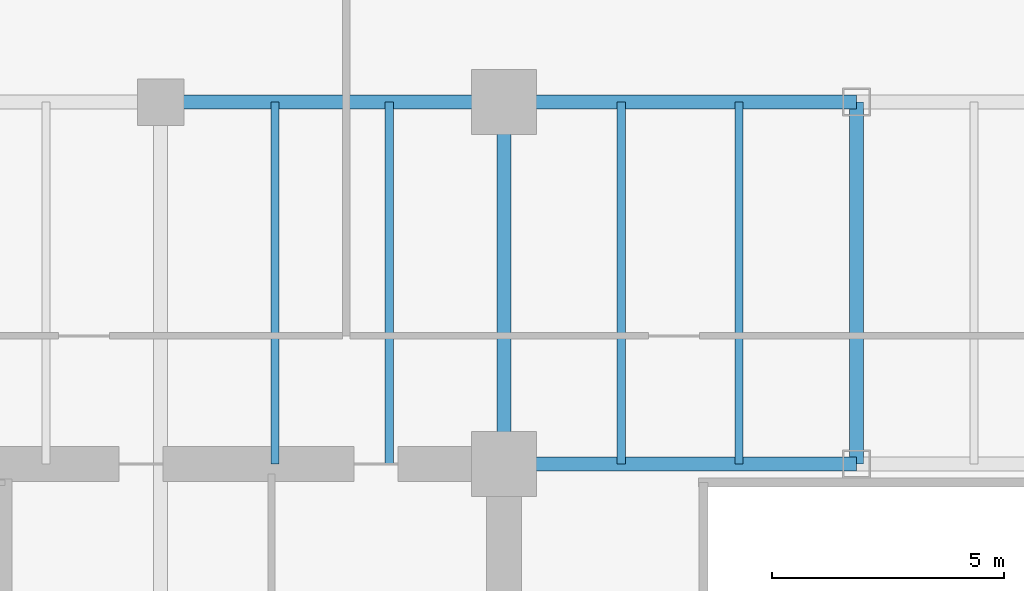
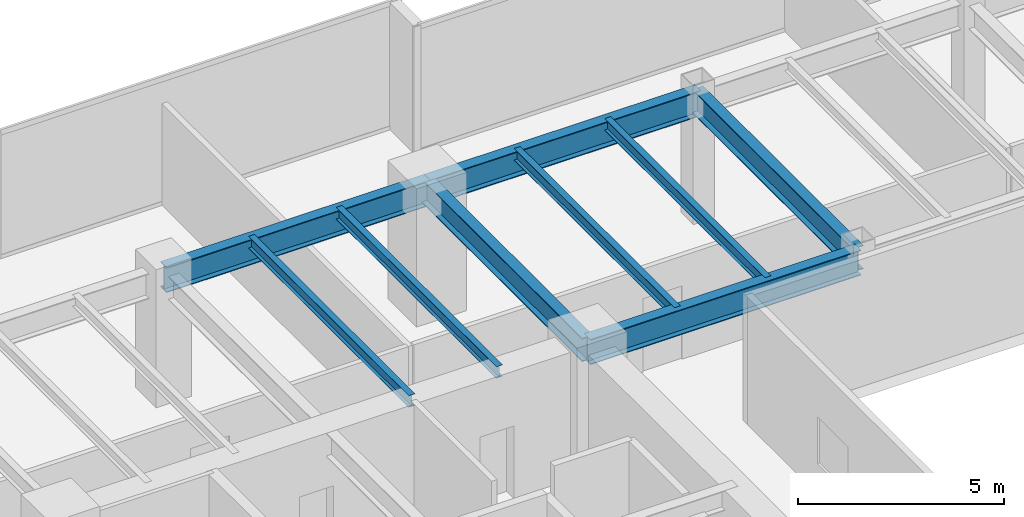
# One storey, part 13 of 35: 9 beams.
"""IFC4 building model written with IfcOpenShell, lengths in metres."""

from ifc_helpers import new_model, si_unit, direction, frame, origin, origin_2d, place, context, subcontext, project, spatial, i_section, extrude, source, transform, mapped, material, material_profile, profile_set, type_object, type_shapes, element, save


model = new_model("IFC4")

# Units and contexts
model_context = context("Model", 3, precision=1e-05, world=origin(), true_north=direction((0.0, 1.0)))
body_context = subcontext(model_context, "Body", "Model", "MODEL_VIEW")
ifc_project = project(units=[si_unit("LENGTHUNIT", "METRE"), si_unit("AREAUNIT", "SQUARE_METRE"), si_unit("VOLUMEUNIT", "CUBIC_METRE"), si_unit("PLANEANGLEUNIT", "RADIAN"), si_unit("MASSUNIT", "GRAM", prefix="KILO")], contexts=[model_context])

# Site, building, storey
site_placement = place(None, origin())
site = spatial("IfcSite", under=ifc_project, at=site_placement, CompositionType="ELEMENT")
building_placement = place(site_placement, origin())
building = spatial("IfcBuilding", under=site, at=building_placement, Name="Haelvirn Gate Laboratories", CompositionType="ELEMENT")
storey_placement = place(building_placement, frame((0.0, 0.0, 58.0)))
storey = spatial("IfcBuildingStorey", under=building, at=storey_placement, Name="L14", CompositionType="ELEMENT", Elevation=58.0)

# Beams
ifc_material = material(Name="Steel SM355", Category="steel")
ifc_material_profile_1 = material_profile(ifc_material, i_section(OverallWidth=0.300048828125, OverallDepth=0.699951171875, WebThickness=0.012939453125, FlangeThickness=0.02392578125, at=origin_2d()), Name="H-700x300x13x24")
ifc_profile_set_1 = profile_set([ifc_material_profile_1], Name="Steel SM355")
beam_type_1 = type_object("IfcBeamType", Name="BM-G-700", PredefinedType="BEAM", material=ifc_profile_set_1)
shared_shape_1 = source(origin(), body_context, "Body", "SweptSolid", [
    extrude(i_section(OverallWidth=0.300048828125, OverallDepth=0.699951171875, WebThickness=0.012939453125, FlangeThickness=0.02392578125, at=origin_2d()), origin(), (0.0, 0.0, 1.0), 7.800048828125),
])
type_shapes(beam_type_1, [shared_shape_1])
for number, where, z_axis, x_axis, name in (
    (1, (22.199951171875, 33.800048828125, 3.429931640625), (0.0, 1.0, 0.0), (-1.0, 0.0, 0.0), "L14 Frame Girder X22.2 (33.8-41.6)"),
    (2, (29.800048828125, 33.800048828125, 3.429931640625), (0.0, 1.0, 0.0), (-1.0, 0.0, 0.0), "L14 Frame Girder X29.8 (33.8-41.6)"),
):
    element("IfcBeam", number, at=place(storey_placement, frame(where, z_axis=z_axis, x_axis=x_axis)), inside=storey, type_object=beam_type_1, Name=name, PredefinedType="BEAM", context=body_context, shape_type="MappedRepresentation", body=[
        mapped(shared_shape_1, transform((0.0, 0.0, 0.0), scale=1.0)),
    ])
ifc_material_profile_2 = material_profile(ifc_material, i_section(OverallWidth=0.300048828125, OverallDepth=0.75, WebThickness=0.013916015625, FlangeThickness=0.02392578125, at=origin_2d()), Name="H-750x300x14x24")
ifc_profile_set_2 = profile_set([ifc_material_profile_2], Name="Steel SM355")
beam_type_2 = type_object("IfcBeamType", Name="BM-G-750", PredefinedType="BEAM", material=ifc_profile_set_2)
shared_shape_2 = source(origin(), body_context, "Body", "SweptSolid", [
    extrude(i_section(OverallWidth=0.300048828125, OverallDepth=0.75, WebThickness=0.013916015625, FlangeThickness=0.02392578125, at=origin_2d()), origin(), (0.0, 0.0, 1.0), 7.39990234375),
])
beam_placement = place(storey_placement, frame((14.800048828125, 41.60009765625, 3.405029296875), z_axis=(1.0, 0.0, 0.0), x_axis=(0.0, 1.0, 0.0)))
element("IfcBeam", 3, at=beam_placement, inside=storey, type_object=beam_type_2, Name="L14 Primary Girder Y41.6 (14.8-22.2)", PredefinedType="BEAM", context=body_context, shape_type="MappedRepresentation", body=[
    mapped(shared_shape_2, transform((0.0, 0.0, 0.0), scale=1.0)),
])
shared_shape_3 = source(origin(), body_context, "Body", "SweptSolid", [
    extrude(i_section(OverallWidth=0.300048828125, OverallDepth=0.75, WebThickness=0.013916015625, FlangeThickness=0.02392578125, at=origin_2d()), origin(), (0.0, 0.0, 1.0), 7.60009765625),
])
type_shapes(beam_type_2, [shared_shape_2, shared_shape_3])
for number, where, z_axis, x_axis, name in (
    (4, (22.199951171875, 33.800048828125, 3.405029296875), (1.0, 0.0, 0.0), (0.0, 1.0, 0.0), "L14 Primary Girder Y33.8 (22.2-29.8)"),
    (5, (22.199951171875, 41.60009765625, 3.405029296875), (1.0, 0.0, 0.0), (0.0, 1.0, 0.0), "L14 Primary Girder Y41.6 (22.2-29.8)"),
):
    element("IfcBeam", number, at=place(storey_placement, frame(where, z_axis=z_axis, x_axis=x_axis)), inside=storey, type_object=beam_type_2, Name=name, PredefinedType="BEAM", context=body_context, shape_type="MappedRepresentation", body=[
        mapped(shared_shape_3, transform((0.0, 0.0, 0.0), scale=1.0)),
    ])
ifc_material_profile_3 = material_profile(ifc_material, i_section(OverallWidth=0.175048828125, OverallDepth=0.35009765625, WebThickness=0.007080078125, FlangeThickness=0.010986328125, at=origin_2d()), Name="H-350x175x7x11")
ifc_profile_set_3 = profile_set([ifc_material_profile_3], Name="Steel SM355")
beam_type_3 = type_object("IfcBeamType", Name="BM-J-350", PredefinedType="JOIST", material=ifc_profile_set_3)
shared_shape_4 = source(origin(), body_context, "Body", "SweptSolid", [
    extrude(i_section(OverallWidth=0.175048828125, OverallDepth=0.35009765625, WebThickness=0.007080078125, FlangeThickness=0.010986328125, at=origin_2d()), origin(), (0.0, 0.0, 1.0), 7.800048828125),
])
type_shapes(beam_type_3, [shared_shape_4])
for number, where, z_axis, x_axis, name in (
    (6, (17.27001953125, 33.800048828125, 3.60498046875), (0.0, 1.0, 0.0), (-1.0, 0.0, 0.0), "L14 Composite Lab Joist North X17.27"),
    (7, (19.72998046875, 33.800048828125, 3.60498046875), (0.0, 1.0, 0.0), (-1.0, 0.0, 0.0), "L14 Composite Lab Joist North X19.73"),
    (8, (24.72998046875, 33.800048828125, 3.60498046875), (0.0, 1.0, 0.0), (-1.0, 0.0, 0.0), "L14 Composite Lab Joist North X24.73"),
    (9, (27.27001953125, 33.800048828125, 3.60498046875), (0.0, 1.0, 0.0), (-1.0, 0.0, 0.0), "L14 Composite Lab Joist North X27.27"),
):
    element("IfcBeam", number, at=place(storey_placement, frame(where, z_axis=z_axis, x_axis=x_axis)), inside=storey, type_object=beam_type_3, Name=name, PredefinedType="JOIST", context=body_context, shape_type="MappedRepresentation", body=[
        mapped(shared_shape_4, transform((0.0, 0.0, 0.0), scale=1.0)),
    ])

save(model, "model.ifc")
